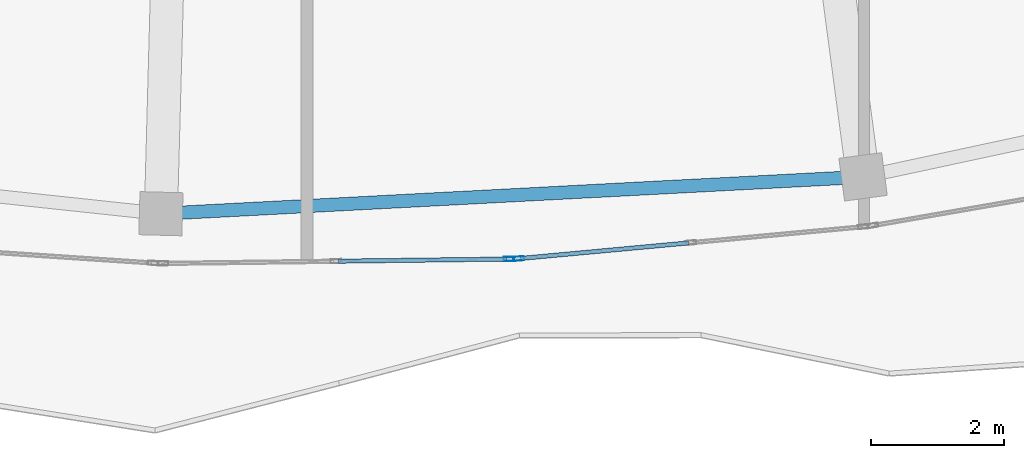
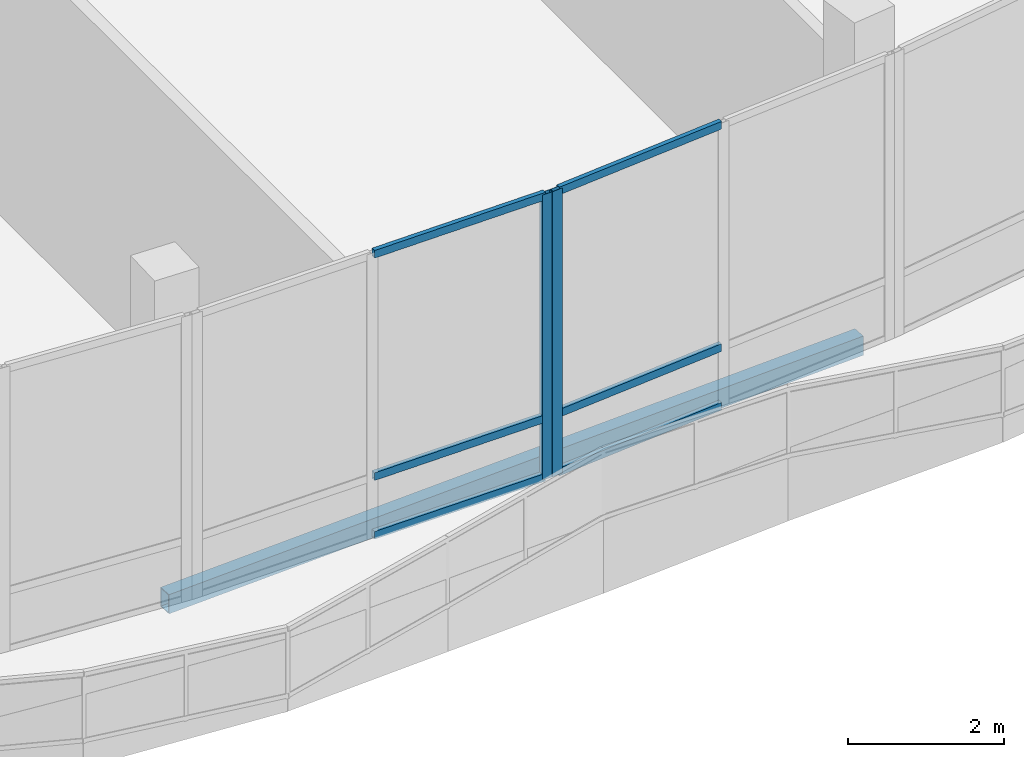
# One storey, part 20 of 155: 8 members, 1 beam, 2 elements without a shape of their own.
"""IFC4 building model written with IfcOpenShell, lengths in metres."""

from ifc_helpers import new_model, si_unit, direction, frame, origin, origin_2d, place, context, subcontext, project, spatial, hollow_rectangle, extrude, material, material_profile, profile_set, type_object, element, aggregate, save


model = new_model("IFC4")

# Units and contexts
model_context = context("Model", 3, precision=1e-05, world=origin(), true_north=direction((0.0, 1.0)))
body_context = subcontext(model_context, "Body", "Model", "MODEL_VIEW")
ifc_project = project(units=[si_unit("LENGTHUNIT", "METRE"), si_unit("AREAUNIT", "SQUARE_METRE"), si_unit("VOLUMEUNIT", "CUBIC_METRE"), si_unit("PLANEANGLEUNIT", "RADIAN"), si_unit("MASSUNIT", "GRAM", prefix="KILO")], contexts=[model_context])

# Site, building, storey
site_placement = place(None, origin())
site = spatial("IfcSite", under=ifc_project, at=site_placement, CompositionType="ELEMENT")
building_placement = place(site_placement, origin())
building = spatial("IfcBuilding", under=site, at=building_placement, Name="Selatvlak General Hospital", CompositionType="ELEMENT")
storey_placement = place(building_placement, frame((0.0, 0.0, 10.199951171875)))
storey = spatial("IfcBuildingStorey", under=building, at=storey_placement, Name="L02", CompositionType="ELEMENT", Elevation=10.199951171875)

# Beam
ifc_material_1 = material(Name="Steel S355", Category="steel")
ifc_material_profile_1 = material_profile(ifc_material_1, hollow_rectangle(XDim=0.199951171875, YDim=0.300048828125, WallThickness=0.011962890625, at=origin_2d()), Name="RHS 300x200x12")
ifc_profile_set_1 = profile_set([ifc_material_profile_1], Name="Steel S355")
beam_type = type_object("IfcBeamType", Name="BM-SP3", PredefinedType="SPANDREL", material=ifc_profile_set_1)
beam_placement = place(storey_placement, frame((54.196044921875, 12.77490234375, -0.5048828125), z_axis=(0.998624623926, 0.052429576466, 0.0), x_axis=(-0.052429576466, 0.998624623926, 0.0)))
element("IfcBeam", 1, at=beam_placement, inside=storey, type_object=beam_type, Name="Beam BMR-L02-1141", PredefinedType="SPANDREL", context=body_context, shape_type="SweptSolid", body=[
    extrude(hollow_rectangle(XDim=0.199951171875, YDim=0.300048828125, WallThickness=0.011962890625, at=origin_2d()), origin(), (0.0, 0.0, 1.0), 10.607666015625),
])

# Curtain wall, member
ifc_material_2 = material(Name="Solar-control Low-E double glazing", Category="glass")
curtain_wall_type_1 = type_object("IfcCurtainWallType", Name="CW-CW-01", PredefinedType="USERDEFINED", material=ifc_material_2)
curtain_wall_1_placement = place(storey_placement, origin())
curtain_wall_1 = element("IfcCurtainWall", 2, at=curtain_wall_1_placement, inside=storey, type_object=curtain_wall_type_1, Name="Glazed facade curtain wall CW-L02-0305", ObjectType="UNITISED CURTAIN WALL", PredefinedType="USERDEFINED")
ifc_material_3 = material(Name="Dark anodised aluminium mullion", Category="aluminium")
ifc_material_profile_2 = material_profile(ifc_material_3, hollow_rectangle(XDim=0.06494140625, YDim=0.159912109375, WallThickness=0.00390625, at=origin_2d()), Name="AL-MUL 65x160x4")
ifc_profile_set_2 = profile_set([ifc_material_profile_2], Name="Dark anodised aluminium mullion")
member_type_1 = type_object("IfcMemberType", Name="CWM-01", PredefinedType="MULLION", material=ifc_profile_set_2)
member_1_placement = place(storey_placement, frame((59.59130859375, 12.096923828125, 0.0), z_axis=(0.0, 0.0, 1.0), x_axis=(0.092291967773, -0.995731988381, 0.0)))
member_1 = element("IfcMember", 3, at=member_1_placement, type_object=member_type_1, Name="CW-01 mullion 3", PredefinedType="MULLION", context=body_context, shape_type="SweptSolid", body=[
    extrude(hollow_rectangle(XDim=0.06494140625, YDim=0.159912109375, WallThickness=0.00390625, at=origin_2d()), origin(), (0.0, 0.0, 1.0), 4.4599609375),
])

curtain_wall_type_2 = type_object("IfcCurtainWallType", Name="CW-CW-02", PredefinedType="USERDEFINED", material=ifc_material_2)
curtain_wall_2_placement = place(storey_placement, origin())
curtain_wall_2 = element("IfcCurtainWall", 4, at=curtain_wall_2_placement, inside=storey, type_object=curtain_wall_type_2, Name="Glazed facade curtain wall CW-L02-0306", ObjectType="UNITISED CURTAIN WALL", PredefinedType="USERDEFINED")
member_2_placement = place(storey_placement, frame((59.446533203125, 12.091552734375, 0.0), z_axis=(0.0, 0.0, 1.0), x_axis=(0.012671575694, -0.999919712362, 0.0)))
member_2 = element("IfcMember", 5, at=member_2_placement, type_object=member_type_1, Name="CW-02 mullion 1", PredefinedType="MULLION", context=body_context, shape_type="SweptSolid", body=[
    extrude(hollow_rectangle(XDim=0.06494140625, YDim=0.159912109375, WallThickness=0.00390625, at=origin_2d()), origin(), (0.0, 0.0, 1.0), 4.4599609375),
])

# Member
ifc_material_profile_3 = material_profile(ifc_material_3, hollow_rectangle(XDim=0.06494140625, YDim=0.1201171875, WallThickness=0.00390625, at=origin_2d()), Name="AL-TRN 65x120x4")
ifc_profile_set_3 = profile_set([ifc_material_profile_3], Name="Dark anodised aluminium mullion")
member_type_2 = type_object("IfcMemberType", Name="CWT-01", PredefinedType="USERDEFINED", material=ifc_profile_set_3)
member_3_placement = place(storey_placement, frame((62.1591796875, 12.3349609375, 0.032470703125), z_axis=(-0.995736924013, -0.092238702061, 0.0), x_axis=(0.092238702061, -0.995736924013, 0.0)))
member_3 = element("IfcMember", 6, at=member_3_placement, type_object=member_type_2, Name="CW-01 transom 2.1", ObjectType="TRANSOM", PredefinedType="USERDEFINED", context=body_context, shape_type="SweptSolid", body=[
    extrude(hollow_rectangle(XDim=0.06494140625, YDim=0.1201171875, WallThickness=0.00390625, at=origin_2d()), origin(), (0.0, 0.0, 1.0), 2.546142578125),
])

member_4_placement = place(storey_placement, frame((62.1591796875, 12.3349609375, 0.949951171875), z_axis=(-0.995736924013, -0.092238702061, 0.0), x_axis=(0.092238702061, -0.995736924013, 0.0)))
member_4 = element("IfcMember", 7, at=member_4_placement, type_object=member_type_2, Name="CW-01 transom 2.2", ObjectType="TRANSOM", PredefinedType="USERDEFINED", context=body_context, shape_type="SweptSolid", body=[
    extrude(hollow_rectangle(XDim=0.06494140625, YDim=0.1201171875, WallThickness=0.00390625, at=origin_2d()), origin(), (0.0, 0.0, 1.0), 2.546142578125),
])

member_5_placement = place(storey_placement, frame((62.1591796875, 12.3349609375, 4.427490234375), z_axis=(-0.995736924013, -0.092238702061, 0.0), x_axis=(0.092238702061, -0.995736924013, 0.0)))
member_5 = element("IfcMember", 8, at=member_5_placement, type_object=member_type_2, Name="CW-01 transom 2.3", ObjectType="TRANSOM", PredefinedType="USERDEFINED", context=body_context, shape_type="SweptSolid", body=[
    extrude(hollow_rectangle(XDim=0.06494140625, YDim=0.1201171875, WallThickness=0.00390625, at=origin_2d()), origin(), (0.0, 0.0, 1.0), 2.546142578125),
])

aggregate(curtain_wall_1, [member_1, member_3, member_4, member_5])

member_6_placement = place(storey_placement, frame((59.4140625, 12.091064453125, 0.032470703125), z_axis=(-0.99991990962, -0.01265600039, 0.0), x_axis=(0.01265600039, -0.99991990962, 0.0)))
member_6 = element("IfcMember", 9, at=member_6_placement, type_object=member_type_2, Name="CW-02 transom 1.1", ObjectType="TRANSOM", PredefinedType="USERDEFINED", context=body_context, shape_type="SweptSolid", body=[
    extrude(hollow_rectangle(XDim=0.06494140625, YDim=0.1201171875, WallThickness=0.00390625, at=origin_2d()), origin(), (0.0, 0.0, 1.0), 2.54638671875),
])

member_7_placement = place(storey_placement, frame((59.4140625, 12.091064453125, 0.949951171875), z_axis=(-0.99991990962, -0.01265600039, 0.0), x_axis=(0.01265600039, -0.99991990962, 0.0)))
member_7 = element("IfcMember", 10, at=member_7_placement, type_object=member_type_2, Name="CW-02 transom 1.2", ObjectType="TRANSOM", PredefinedType="USERDEFINED", context=body_context, shape_type="SweptSolid", body=[
    extrude(hollow_rectangle(XDim=0.06494140625, YDim=0.1201171875, WallThickness=0.00390625, at=origin_2d()), origin(), (0.0, 0.0, 1.0), 2.54638671875),
])

member_8_placement = place(storey_placement, frame((59.4140625, 12.091064453125, 4.427490234375), z_axis=(-0.99991990962, -0.01265600039, 0.0), x_axis=(0.01265600039, -0.99991990962, 0.0)))
member_8 = element("IfcMember", 11, at=member_8_placement, type_object=member_type_2, Name="CW-02 transom 1.3", ObjectType="TRANSOM", PredefinedType="USERDEFINED", context=body_context, shape_type="SweptSolid", body=[
    extrude(hollow_rectangle(XDim=0.06494140625, YDim=0.1201171875, WallThickness=0.00390625, at=origin_2d()), origin(), (0.0, 0.0, 1.0), 2.54638671875),
])

aggregate(curtain_wall_2, [member_2, member_6, member_7, member_8])

save(model, "model.ifc")
